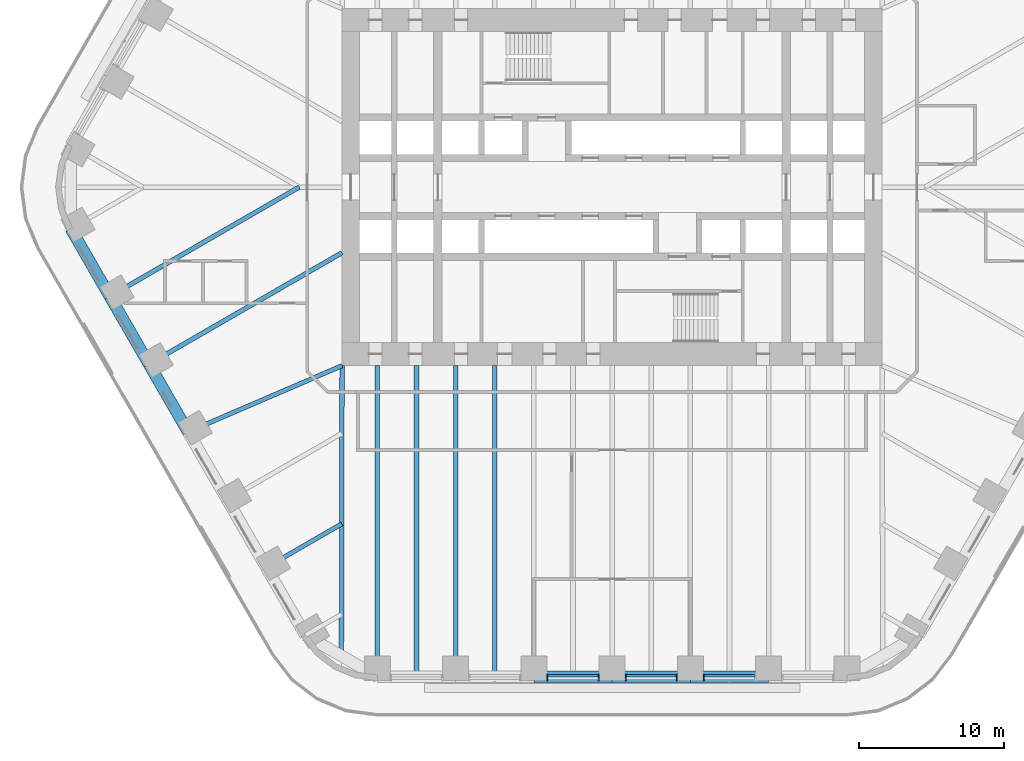
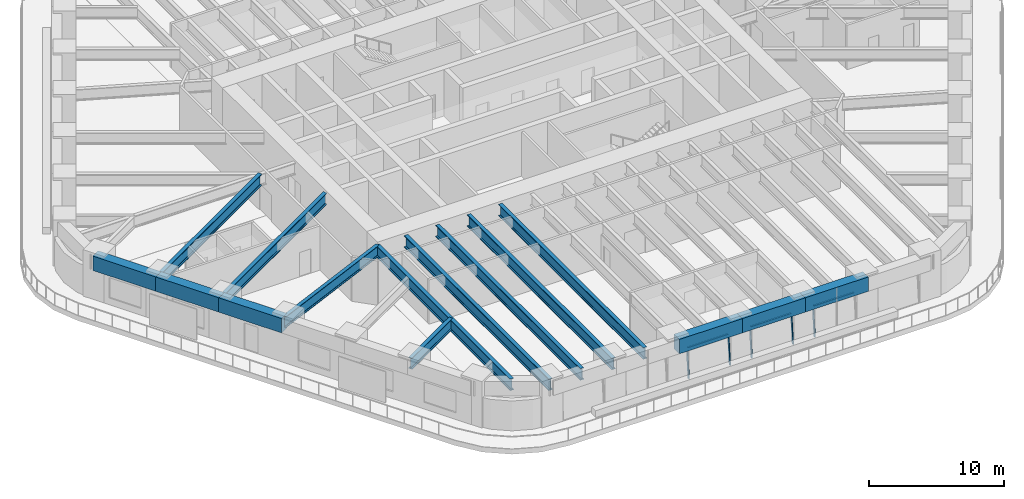
# One storey, part 3 of 23: 15 beams, 8 members, 3 elements without a shape of their own.
"""IFC4 building model written with IfcOpenShell, lengths in metres."""

from ifc_helpers import new_model, si_unit, direction, frame, origin, origin_2d, place, context, subcontext, project, spatial, rectangle, i_section, extrude, material, material_profile, profile_set, type_object, element, aggregate, save


model = new_model("IFC4")

# Units and contexts
model_context = context("Model", 3, precision=1e-05, world=origin(), true_north=direction((0.0, 1.0)))
body_context = subcontext(model_context, "Body", "Model", "MODEL_VIEW")
ifc_project = project(units=[si_unit("LENGTHUNIT", "METRE"), si_unit("AREAUNIT", "SQUARE_METRE"), si_unit("VOLUMEUNIT", "CUBIC_METRE"), si_unit("PLANEANGLEUNIT", "RADIAN"), si_unit("MASSUNIT", "GRAM", prefix="KILO")], contexts=[model_context])

# Site, building, storey
site_placement = place(None, origin())
site = spatial("IfcSite", under=ifc_project, at=site_placement, CompositionType="ELEMENT")
building_placement = place(site_placement, origin())
building = spatial("IfcBuilding", under=site, at=building_placement, Name="Tarfa Lantern Tower", CompositionType="ELEMENT")
storey_placement = place(building_placement, frame((0.0, 0.0, 99.10009765625)))
storey = spatial("IfcBuildingStorey", under=building, at=storey_placement, Name="L22", CompositionType="ELEMENT", Elevation=99.10009765625)

# Curtain wall, members
ifc_material_1 = material(Name="Aluminium framed curtain wall", Category="aluminium")
curtain_wall_type = type_object("IfcCurtainWallType", Name="CW1 CANTED GLAZING LOW ZONE 2700", PredefinedType="USERDEFINED", material=ifc_material_1)
curtain_wall_1_placement = place(storey_placement, origin())
curtain_wall_1 = element("IfcCurtainWall", 1, at=curtain_wall_1_placement, inside=storey, type_object=curtain_wall_type, Name="CW1 S L22", ObjectType="CURTAIN WALL", PredefinedType="USERDEFINED")
ifc_material_2 = material(Name="Aluminium mullion", Category="aluminium")
ifc_material_profile_1 = material_profile(ifc_material_2, rectangle(XDim=0.06494140625, YDim=0.199951171875, at=origin_2d()), Name="AL MULLION 65x200")
ifc_profile_set_1 = profile_set([ifc_material_profile_1], Name="Aluminium mullion")
member_type_1 = type_object("IfcMemberType", Name="CWM1 MULLION 65x200", PredefinedType="MULLION", material=ifc_profile_set_1)
member_1_placement = place(storey_placement, frame((-4.4560546875, -33.89990234375, 0.0), z_axis=(0.0, 0.092199863775, 0.995740520979), x_axis=(-1.0, 0.0, 0.0)))
member_1 = element("IfcMember", 2, at=member_1_placement, type_object=member_type_1, Name="CW1 mullion 1", PredefinedType="MULLION", context=body_context, shape_type="SweptSolid", body=[
    extrude(rectangle(XDim=0.06494140625, YDim=0.199951171875, at=origin_2d()), origin(), (0.0, 0.0, 1.0), 2.71142578125),
])
member_2_placement = place(storey_placement, frame((-0.9326171875, -33.89990234375, 0.0), z_axis=(0.0, 0.092199863775, 0.995740520979), x_axis=(-1.0, 0.0, 0.0)))
member_2 = element("IfcMember", 3, at=member_2_placement, type_object=member_type_1, Name="CW1 mullion 2", PredefinedType="MULLION", context=body_context, shape_type="SweptSolid", body=[
    extrude(rectangle(XDim=0.06494140625, YDim=0.199951171875, at=origin_2d()), origin(), (0.0, 0.0, 1.0), 2.71142578125),
])

curtain_wall_2_placement = place(storey_placement, origin())
curtain_wall_2 = element("IfcCurtainWall", 4, at=curtain_wall_2_placement, inside=storey, type_object=curtain_wall_type, Name="CW1 S L22", ObjectType="CURTAIN WALL", PredefinedType="USERDEFINED")
member_3_placement = place(storey_placement, frame((0.9326171875, -33.89990234375, 0.0), z_axis=(0.0, 0.092199863775, 0.995740520979), x_axis=(-1.0, 0.0, 0.0)))
member_3 = element("IfcMember", 5, at=member_3_placement, type_object=member_type_1, Name="CW1 mullion 1", PredefinedType="MULLION", context=body_context, shape_type="SweptSolid", body=[
    extrude(rectangle(XDim=0.06494140625, YDim=0.199951171875, at=origin_2d()), origin(), (0.0, 0.0, 1.0), 2.71142578125),
])
member_4_placement = place(storey_placement, frame((4.4560546875, -33.89990234375, 0.0), z_axis=(0.0, 0.092199863775, 0.995740520979), x_axis=(-1.0, 0.0, 0.0)))
member_4 = element("IfcMember", 6, at=member_4_placement, type_object=member_type_1, Name="CW1 mullion 2", PredefinedType="MULLION", context=body_context, shape_type="SweptSolid", body=[
    extrude(rectangle(XDim=0.06494140625, YDim=0.199951171875, at=origin_2d()), origin(), (0.0, 0.0, 1.0), 2.71142578125),
])

# Curtain wall, member
curtain_wall_3_placement = place(storey_placement, origin())
curtain_wall_3 = element("IfcCurtainWall", 7, at=curtain_wall_3_placement, inside=storey, type_object=curtain_wall_type, Name="CW1 S L22", ObjectType="CURTAIN WALL", PredefinedType="USERDEFINED")
member_5_placement = place(storey_placement, frame((6.321044921875, -33.89990234375, 0.0), z_axis=(0.0, 0.092199863775, 0.995740520979), x_axis=(-1.0, 0.0, 0.0)))
member_5 = element("IfcMember", 8, at=member_5_placement, type_object=member_type_1, Name="CW1 mullion 1", PredefinedType="MULLION", context=body_context, shape_type="SweptSolid", body=[
    extrude(rectangle(XDim=0.06494140625, YDim=0.199951171875, at=origin_2d()), origin(), (0.0, 0.0, 1.0), 2.71142578125),
])

# Member
ifc_material_3 = material(Name="Aluminium transom", Category="aluminium")
ifc_material_profile_2 = material_profile(ifc_material_3, rectangle(XDim=0.14990234375, YDim=0.06494140625, at=origin_2d()), Name="AL TRANSOM 150x65")
ifc_profile_set_2 = profile_set([ifc_material_profile_2], Name="Aluminium transom")
member_type_2 = type_object("IfcMemberType", Name="CWT1 TRANSOM 150x65", PredefinedType="USERDEFINED", material=ifc_profile_set_2)
member_6_placement = place(storey_placement, frame((-4.423583984375, -33.653076171875, 2.66748046875), z_axis=(1.0, 0.0, 0.0), x_axis=(0.0, 1.0, 0.0)))
member_6 = element("IfcMember", 9, at=member_6_placement, type_object=member_type_2, Name="CW1 transom 1.2", ObjectType="TRANSOM", PredefinedType="USERDEFINED", context=body_context, shape_type="SweptSolid", body=[
    extrude(rectangle(XDim=0.14990234375, YDim=0.06494140625, at=origin_2d()), origin(), (0.0, 0.0, 1.0), 3.45849609375),
])

aggregate(curtain_wall_1, [member_1, member_2, member_6])

member_7_placement = place(storey_placement, frame((0.965087890625, -33.653076171875, 2.66748046875), z_axis=(1.0, 0.0, 0.0), x_axis=(0.0, 1.0, 0.0)))
member_7 = element("IfcMember", 10, at=member_7_placement, type_object=member_type_2, Name="CW1 transom 1.2", ObjectType="TRANSOM", PredefinedType="USERDEFINED", context=body_context, shape_type="SweptSolid", body=[
    extrude(rectangle(XDim=0.14990234375, YDim=0.06494140625, at=origin_2d()), origin(), (0.0, 0.0, 1.0), 3.45849609375),
])

aggregate(curtain_wall_2, [member_3, member_4, member_7])

member_8_placement = place(storey_placement, frame((6.353515625, -33.653076171875, 2.66748046875), z_axis=(1.0, 0.0, 0.0), x_axis=(0.0, 1.0, 0.0)))
member_8 = element("IfcMember", 11, at=member_8_placement, type_object=member_type_2, Name="CW1 transom 1.2", ObjectType="TRANSOM", PredefinedType="USERDEFINED", context=body_context, shape_type="SweptSolid", body=[
    extrude(rectangle(XDim=0.14990234375, YDim=0.06494140625, at=origin_2d()), origin(), (0.0, 0.0, 1.0), 3.458740234375),
])

aggregate(curtain_wall_3, [member_5, member_8])

# Beams
ifc_material_4 = material(Name="Concrete C80/95", Category="concrete")
ifc_material_profile_3 = material_profile(ifc_material_4, rectangle(XDim=0.800048828125, YDim=1.300048828125, at=origin_2d()), Name="RC 800x1300")
ifc_profile_set_3 = profile_set([ifc_material_profile_3], Name="Concrete C80/95")
beam_type_1 = type_object("IfcBeamType", Name="EB1 RC 800x1300", PredefinedType="SPANDREL", material=ifc_profile_set_3)
beam_1_placement = place(storey_placement, frame((-37.285400390625, -2.860107421875, 3.349853515625), z_axis=(0.500017906299, -0.866015065331, 0.0), x_axis=(0.866015065331, 0.500017906299, 0.0)))
element("IfcBeam", 12, at=beam_1_placement, inside=storey, type_object=beam_type_1, Name="Edge beam SW0", PredefinedType="SPANDREL", context=body_context, shape_type="SweptSolid", body=[
    extrude(rectangle(XDim=0.800048828125, YDim=1.300048828125, at=origin_2d()), origin(), (0.0, 0.0, 1.0), 5.388427734375),
])
for number, where, z_axis, x_axis, name in (
    (13, (-34.591064453125, -7.526611328125, 3.349853515625), (0.499998287579, -0.866026392449, 0.0), (0.866026392449, 0.499998287579, 0.0), "Edge beam SW1"),
    (14, (-31.896728515625, -12.193359375, 3.349853515625), (0.499998287579, -0.866026392449, 0.0), (0.866026392449, 0.499998287579, 0.0), "Edge beam SW2"),
    (15, (-5.388671875, -33.719970703125, 3.349853515625), (1.0, 0.0, 0.0), (0.0, 1.0, 0.0), "Edge beam S2"),
    (16, (0.0, -33.719970703125, 3.349853515625), (1.0, 0.0, 0.0), (0.0, 1.0, 0.0), "Edge beam S3"),
):
    element("IfcBeam", number, at=place(storey_placement, frame(where, z_axis=z_axis, x_axis=x_axis)), inside=storey, type_object=beam_type_1, Name=name, PredefinedType="SPANDREL", context=body_context, shape_type="SweptSolid", body=[
        extrude(rectangle(XDim=0.800048828125, YDim=1.300048828125, at=origin_2d()), origin(), (0.0, 0.0, 1.0), 5.388671875),
    ])
beam_2_placement = place(storey_placement, frame((5.388671875, -33.719970703125, 3.349853515625), z_axis=(1.0, 0.0, 0.0), x_axis=(0.0, 1.0, 0.0)))
element("IfcBeam", 17, at=beam_2_placement, inside=storey, type_object=beam_type_1, Name="Edge beam S4", PredefinedType="SPANDREL", context=body_context, shape_type="SweptSolid", body=[
    extrude(rectangle(XDim=0.800048828125, YDim=1.300048828125, at=origin_2d()), origin(), (0.0, 0.0, 1.0), 5.388427734375),
])
ifc_material_5 = material(Name="Steel S460M", Category="steel")
ifc_material_profile_4 = material_profile(ifc_material_5, i_section(OverallWidth=0.302001953125, OverallDepth=1.008056640625, WebThickness=0.02099609375, FlangeThickness=0.0400390625, FilletRadius=0.030029296875, at=origin_2d()), Name="UB1016x305x349")
ifc_profile_set_4 = profile_set([ifc_material_profile_4], Name="Steel S460M")
beam_type_2 = type_object("IfcBeamType", Name="UB1016x305x349", PredefinedType="BEAM", material=ifc_profile_set_4)
beam_3_placement = place(storey_placement, frame((-29.202392578125, -16.860107421875, 3.495849609375), z_axis=(0.918635483867, 0.395106122175, 0.0), x_axis=(-0.395106122175, 0.918635483867, 0.0)))
element("IfcBeam", 18, at=beam_3_placement, inside=storey, type_object=beam_type_2, Name="Floor beam SW3", PredefinedType="BEAM", context=body_context, shape_type="SweptSolid", body=[
    extrude(i_section(OverallWidth=0.302001953125, OverallDepth=1.008056640625, WebThickness=0.02099609375, FlangeThickness=0.0400390625, FilletRadius=0.030029296875, at=origin_2d()), origin(), (0.0, 0.0, 1.0), 11.541259765625),
])
beam_4_placement = place(storey_placement, frame((-23.813720703125, -26.193359375, 3.495849609375), z_axis=(0.866015997389, 0.500016292001, 0.0), x_axis=(-0.500016292001, 0.866015997389, 0.0)))
element("IfcBeam", 19, at=beam_4_placement, inside=storey, type_object=beam_type_2, Name="Floor beam SW5", PredefinedType="BEAM", context=body_context, shape_type="SweptSolid", body=[
    extrude(i_section(OverallWidth=0.302001953125, OverallDepth=1.008056640625, WebThickness=0.02099609375, FlangeThickness=0.0400390625, FilletRadius=0.030029296875, at=origin_2d()), origin(), (0.0, 0.0, 1.0), 5.993408203125),
])
ifc_material_profile_5 = material_profile(ifc_material_5, i_section(OverallWidth=0.314208984375, OverallDepth=1.055908203125, WebThickness=0.035888671875, FlangeThickness=0.06396484375, FilletRadius=0.030029296875, at=origin_2d()), Name="UB1016x305x584")
ifc_profile_set_5 = profile_set([ifc_material_profile_5], Name="Steel S460M")
beam_type_3 = type_object("IfcBeamType", Name="UB1016x305x584", PredefinedType="BEAM", material=ifc_profile_set_5)
beam_5_placement = place(storey_placement, frame((-18.60009765625, -12.300048828125, 3.471923828125), z_axis=(-0.00212508222, -0.99999774201, 0.0), x_axis=(0.99999774201, -0.00212508222, 0.0)))
element("IfcBeam", 20, at=beam_5_placement, inside=storey, type_object=beam_type_3, Name="Hip girder SW", PredefinedType="BEAM", context=body_context, shape_type="SweptSolid", body=[
    extrude(i_section(OverallWidth=0.314208984375, OverallDepth=1.055908203125, WebThickness=0.035888671875, FlangeThickness=0.06396484375, FilletRadius=0.030029296875, at=origin_2d()), origin(), (0.0, 0.0, 1.0), 19.989990234375),
])
beam_6_placement = place(storey_placement, frame((-34.591064453125, -7.526611328125, 3.471923828125), z_axis=(0.86602785945, 0.499995746638, 0.0), x_axis=(-0.499995746638, 0.86602785945, 0.0)))
element("IfcBeam", 21, at=beam_6_placement, inside=storey, type_object=beam_type_3, Name="Floor beam SW1", PredefinedType="BEAM", context=body_context, shape_type="SweptSolid", body=[
    extrude(i_section(OverallWidth=0.314208984375, OverallDepth=1.055908203125, WebThickness=0.035888671875, FlangeThickness=0.06396484375, FilletRadius=0.030029296875, at=origin_2d()), origin(), (0.0, 0.0, 1.0), 15.053466796875),
])
beam_7_placement = place(storey_placement, frame((-31.896728515625, -12.193359375, 3.471923828125), z_axis=(0.866026971665, 0.499997284341, 0.0), x_axis=(-0.499997284341, 0.866026971665, 0.0)))
element("IfcBeam", 22, at=beam_7_placement, inside=storey, type_object=beam_type_3, Name="Floor beam SW2", PredefinedType="BEAM", context=body_context, shape_type="SweptSolid", body=[
    extrude(i_section(OverallWidth=0.314208984375, OverallDepth=1.055908203125, WebThickness=0.035888671875, FlangeThickness=0.06396484375, FilletRadius=0.030029296875, at=origin_2d()), origin(), (0.0, 0.0, 1.0), 15.353515625),
])
for number, where, z_axis, x_axis, name in (
    (23, (-16.165771484375, -33.719970703125, 3.471923828125), (0.0, 1.0, 0.0), (-1.0, 0.0, 0.0), "Floor beam S0"),
    (24, (-10.777099609375, -33.719970703125, 3.471923828125), (0.0, 1.0, 0.0), (-1.0, 0.0, 0.0), "Floor beam S1"),
    (25, (-13.471435546875, -33.719970703125, 3.471923828125), (0.0, 1.0, 0.0), (-1.0, 0.0, 0.0), "Floor beam S0M"),
    (26, (-8.0830078125, -33.719970703125, 3.471923828125), (0.0, 1.0, 0.0), (-1.0, 0.0, 0.0), "Floor beam S1M"),
):
    element("IfcBeam", number, at=place(storey_placement, frame(where, z_axis=z_axis, x_axis=x_axis)), inside=storey, type_object=beam_type_3, Name=name, PredefinedType="BEAM", context=body_context, shape_type="SweptSolid", body=[
        extrude(i_section(OverallWidth=0.314208984375, OverallDepth=1.055908203125, WebThickness=0.035888671875, FlangeThickness=0.06396484375, FilletRadius=0.030029296875, at=origin_2d()), origin(), (0.0, 0.0, 1.0), 21.419921875),
    ])

save(model, "model.ifc")
